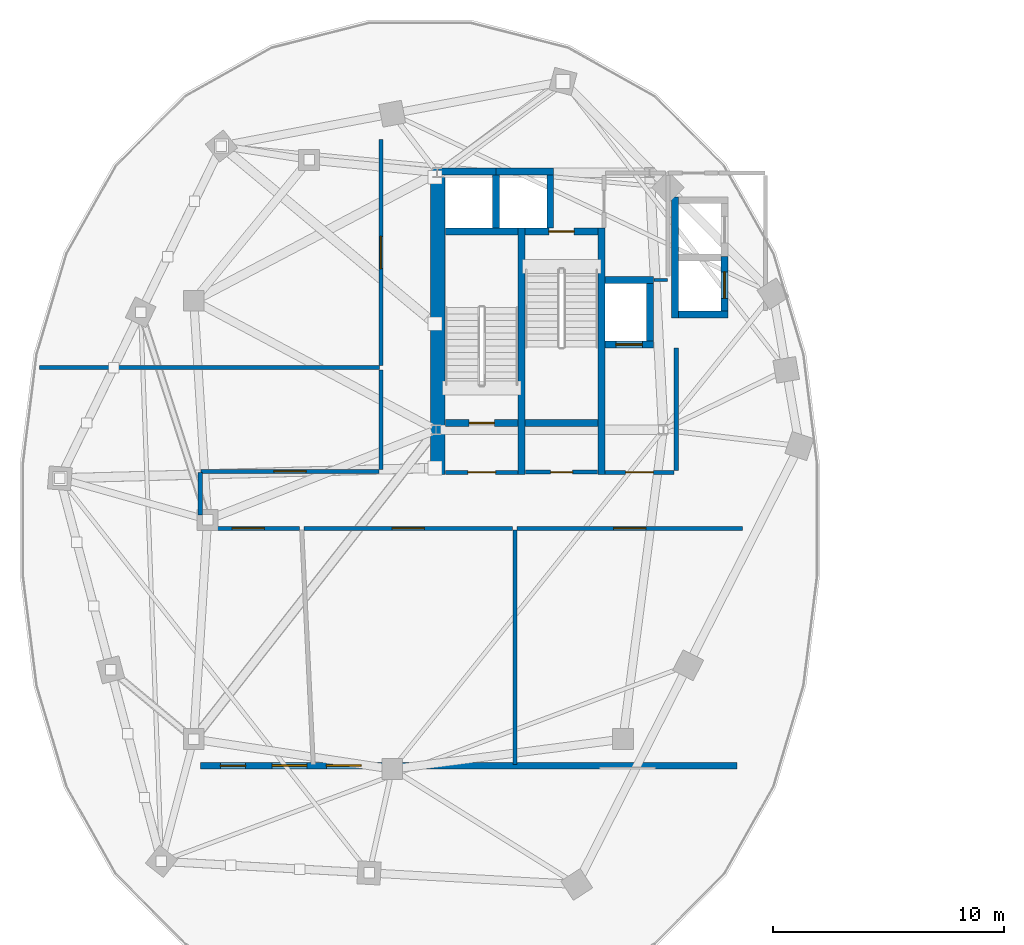
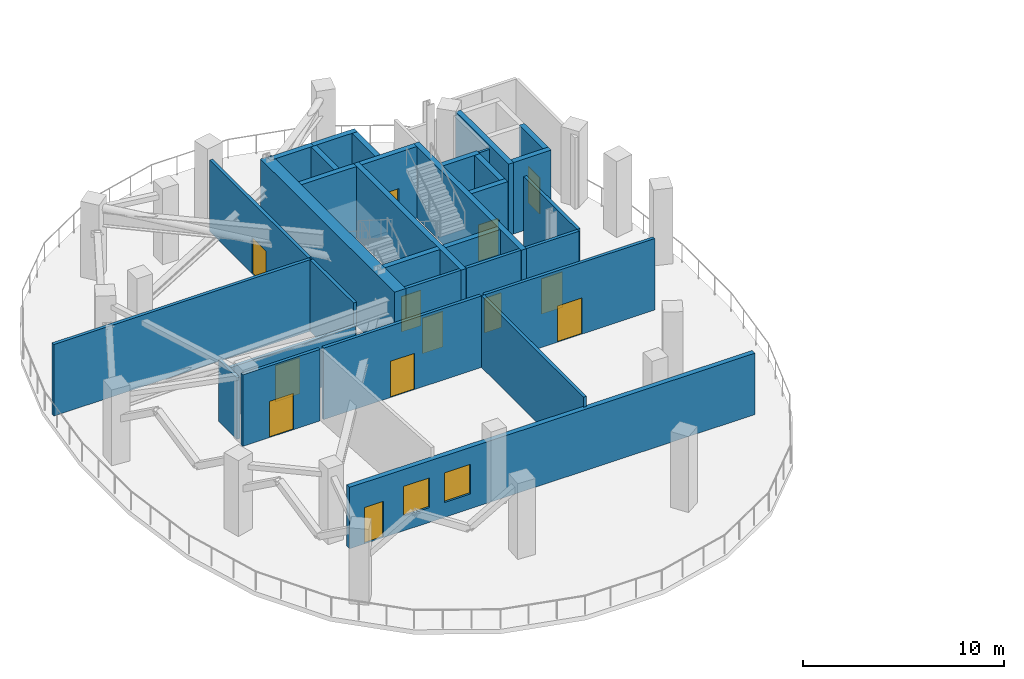
# One storey, part 7 of 14: 32 walls, 13 doors, 2 windows, 15 openings.
"""IFC4 building model written with IfcOpenShell, lengths in metres."""

from ifc_helpers import new_model, si_unit, direction, frame, frame_2d, origin, place, context, subcontext, project, spatial, rectangle, extrude, material, layer, layer_set, type_object, element, fill, save


model = new_model("IFC4")

# Units and contexts
model_context = context("Model", 3, precision=1e-05, world=origin(), true_north=direction((0.0, 1.0)))
body_context = subcontext(model_context, "Body", "Model", "MODEL_VIEW")
ifc_project = project(units=[si_unit("LENGTHUNIT", "METRE"), si_unit("AREAUNIT", "SQUARE_METRE"), si_unit("VOLUMEUNIT", "CUBIC_METRE"), si_unit("PLANEANGLEUNIT", "RADIAN"), si_unit("MASSUNIT", "GRAM", prefix="KILO"), si_unit("THERMODYNAMICTEMPERATUREUNIT", "KELVIN"), si_unit("POWERUNIT", "WATT")], contexts=[model_context])

# Site, building, storey
site_placement = place(None, origin())
site = spatial("IfcSite", under=ifc_project, at=site_placement, CompositionType="ELEMENT")
building_placement = place(site_placement, origin())
building = spatial("IfcBuilding", under=site, at=building_placement, Name="Cundina Bronze Exchange", CompositionType="ELEMENT")
storey_placement = place(building_placement, frame((0.0, 0.0, 187.199951171875)))
storey = spatial("IfcBuildingStorey", under=building, at=storey_placement, Name="L49", CompositionType="ELEMENT", Elevation=187.199951171875)

# Wall
ifc_material_1 = material(Name="Gypsum Fireboard Partition EI120")
ifc_layer_1 = layer(ifc_material_1, 0.179931640625, Name="Gypsum Fireboard Partition EI120")
ifc_layer_set_1 = layer_set([ifc_layer_1], Name="Gypsum Fireboard Partition EI120")
wall_type_1 = type_object("IfcWallType", Name="WL-COR-180", PredefinedType="PARTITIONING", material=ifc_layer_set_1)
wall_1_placement = place(storey_placement, frame((-20.889892578125, 2.14990234375, 0.0), z_axis=(0.0, 0.0, 1.0), x_axis=(0.0, 1.0, 0.0)))
element("IfcWall", 1, at=wall_1_placement, inside=storey, type_object=wall_type_1, Name="L49 W Firefighting Lobby Side Wall", PredefinedType="PARTITIONING", context=body_context, shape_type="SweptSolid", body=[
    extrude(rectangle(XDim=5.300048828125, YDim=0.179931640625, at=frame_2d((2.64990234375, 0.0))), origin(), (0.0, 0.0, 1.0), 4.340087890625),
])

# Wall, opening, door
wall_2_placement = place(storey_placement, frame((-23.97998046875, 2.06005859375, 0.0), z_axis=(0.0, 0.0, 1.0), x_axis=(1.0, 0.0, 0.0)))
wall_2 = element("IfcWall", 2, at=wall_2_placement, inside=storey, type_object=wall_type_1, Name="L49 W Firefighting Lobby Exit Wall", PredefinedType="PARTITIONING", context=body_context, shape_type="SweptSolid", body=[
    extrude(rectangle(XDim=3.0, YDim=0.179931640625, at=frame_2d((1.5, 0.0))), origin(), (0.0, 0.0, 1.0), 4.340087890625),
])
opening_1_placement = place(wall_2_placement, frame((0.89990234375, 0.0, 0.0)))
opening_1 = element("IfcOpeningElement", 3, at=opening_1_placement, cuts=wall_2, Name="Opening DF-01", PredefinedType="OPENING", context=body_context, shape_type="SweptSolid", body=[
    extrude(rectangle(XDim=1.199951171875, YDim=2.14990234375, at=frame_2d((0.60009765625, 1.074951171875))), frame((0.0, 0.099853515625, 0.0), z_axis=(0.0, -1.0, 0.0), x_axis=(1.0, 0.0, 0.0)), (0.0, 0.0, 1.0), 0.199951171875),
])
ifc_material_2 = material(Name="Steel ASTM A36 Painted", Category="steel")
door_type_1 = type_object("IfcDoorType", Name="DR-FFL-1200", OperationType="NOTDEFINED", PredefinedType="DOOR", material=ifc_material_2)
door_1_placement = place(opening_1_placement, origin())
door_1 = element("IfcDoor", 4, at=door_1_placement, inside=storey, type_object=door_type_1, Name="L49 W Firefighting Lobby Door", OperationType="SINGLE_SWING_RIGHT", OverallHeight=2.14990234375, OverallWidth=1.199951171875, PredefinedType="DOOR", context=body_context, shape_type="SweptSolid", body=[
    extrude(rectangle(XDim=1.199951171875, YDim=2.14990234375, at=frame_2d((0.60009765625, 1.074951171875))), frame((0.0, 0.02490234375, 0.0), z_axis=(0.0, -1.0, 0.0), x_axis=(1.0, 0.0, 0.0)), (0.0, 0.0, 1.0), 0.050048828125),
])
fill(opening_1, door_1)

wall_3_placement = place(storey_placement, frame((-30.89990234375, 2.06005859375, 0.0), z_axis=(0.0, 0.0, 1.0), x_axis=(1.0, 0.0, 0.0)))
wall_3 = element("IfcWall", 5, at=wall_3_placement, inside=storey, type_object=wall_type_1, Name="L49 W Stair Vestibule Exit Wall", PredefinedType="PARTITIONING", context=body_context, shape_type="SweptSolid", body=[
    extrude(rectangle(XDim=3.159912109375, YDim=0.179931640625, at=frame_2d((1.580078125, 0.0))), origin(), (0.0, 0.0, 1.0), 4.340087890625),
])
opening_2_placement = place(wall_3_placement, frame((0.97998046875, 0.0, 0.0)))
opening_2 = element("IfcOpeningElement", 6, at=opening_2_placement, cuts=wall_3, Name="Opening DF-01", PredefinedType="OPENING", context=body_context, shape_type="SweptSolid", body=[
    extrude(rectangle(XDim=1.199951171875, YDim=2.14990234375, at=frame_2d((0.60009765625, 1.074951171875))), frame((0.0, 0.099853515625, 0.0), z_axis=(0.0, -1.0, 0.0), x_axis=(1.0, 0.0, 0.0)), (0.0, 0.0, 1.0), 0.199951171875),
])
door_2_placement = place(opening_2_placement, origin())
door_2 = element("IfcDoor", 7, at=door_2_placement, inside=storey, type_object=door_type_1, Name="L49 W Stair Vestibule Door", OperationType="SINGLE_SWING_LEFT", OverallHeight=2.14990234375, OverallWidth=1.199951171875, PredefinedType="DOOR", context=body_context, shape_type="SweptSolid", body=[
    extrude(rectangle(XDim=1.199951171875, YDim=2.14990234375, at=frame_2d((0.60009765625, 1.074951171875))), frame((0.0, 0.02490234375, 0.0), z_axis=(0.0, -1.0, 0.0), x_axis=(1.0, 0.0, 0.0)), (0.0, 0.0, 1.0), 0.050048828125),
])
fill(opening_2, door_2)

wall_4_placement = place(storey_placement, frame((-27.419921875, 2.070068359375, 0.0), z_axis=(0.0, 0.0, 1.0), x_axis=(1.0, 0.0, 0.0)))
wall_4 = element("IfcWall", 8, at=wall_4_placement, inside=storey, type_object=wall_type_1, Name="L49 Interior Partition 007", PredefinedType="PARTITIONING", context=body_context, shape_type="SweptSolid", body=[
    extrude(rectangle(XDim=3.119873046875, YDim=0.179931640625, at=frame_2d((1.56005859375, 0.0))), origin(), (0.0, 0.0, 1.0), 4.340087890625),
])
opening_3_placement = place(wall_4_placement, frame((1.0849609375, 0.0, 0.0)))
opening_3 = element("IfcOpeningElement", 9, at=opening_3_placement, cuts=wall_4, Name="Opening DW-01", PredefinedType="OPENING", context=body_context, shape_type="SweptSolid", body=[
    extrude(rectangle(XDim=0.949951171875, YDim=2.10009765625, at=frame_2d((0.47509765625, 1.050048828125))), frame((0.0, 0.099853515625, 0.0), z_axis=(0.0, -1.0, 0.0), x_axis=(1.0, 0.0, 0.0)), (0.0, 0.0, 1.0), 0.199951171875),
])
ifc_material_3 = material(Name="Solid Andean Oak Timber Grade A", Category="wood")
door_type_2 = type_object("IfcDoorType", Name="DR-WC-950", OperationType="NOTDEFINED", PredefinedType="DOOR", material=ifc_material_3)
door_3_placement = place(opening_3_placement, origin())
door_3 = element("IfcDoor", 10, at=door_3_placement, inside=storey, type_object=door_type_2, Name="L49 Interior Door 007", OperationType="SINGLE_SWING_LEFT", OverallHeight=2.10009765625, OverallWidth=0.949951171875, PredefinedType="DOOR", context=body_context, shape_type="SweptSolid", body=[
    extrude(rectangle(XDim=0.949951171875, YDim=2.10009765625, at=frame_2d((0.47509765625, 1.050048828125))), frame((0.0, 0.02490234375, 0.0), z_axis=(0.0, -1.0, 0.0), x_axis=(1.0, 0.0, 0.0)), (0.0, 0.0, 1.0), 0.050048828125),
])
fill(opening_3, door_3)

# Wall
wall_5_placement = place(storey_placement, frame((-48.47998046875, 6.60009765625, 0.0), z_axis=(0.0, 0.0, 1.0), x_axis=(1.0, 0.0, 0.0)))
element("IfcWall", 11, at=wall_5_placement, inside=storey, type_object=wall_type_1, Name="L49 Interior Partition 010", PredefinedType="PARTITIONING", context=body_context, shape_type="SweptSolid", body=[
    extrude(rectangle(XDim=14.739990234375, YDim=0.179931640625, at=frame_2d((7.3701171875, 0.0))), origin(), (0.0, 0.0, 1.0), 4.340087890625),
])

# Wall, opening, door
wall_6_placement = place(storey_placement, frame((-27.780029296875, -0.3701171875, 0.0), z_axis=(0.0, 0.0, 1.0), x_axis=(1.0, 0.0, 0.0)))
wall_6 = element("IfcWall", 12, at=wall_6_placement, inside=storey, type_object=wall_type_1, Name="L49 Interior Partition 011", PredefinedType="PARTITIONING", context=body_context, shape_type="SweptSolid", body=[
    extrude(rectangle(XDim=9.760009765625, YDim=0.179931640625, at=frame_2d((4.8798828125, 0.0))), origin(), (0.0, 0.0, 1.0), 4.340087890625),
])
opening_4_placement = place(wall_6_placement, frame((4.179931640625, 0.0, 0.0)))
opening_4 = element("IfcOpeningElement", 13, at=opening_4_placement, cuts=wall_6, Name="Opening DP-01", PredefinedType="OPENING", context=body_context, shape_type="SweptSolid", body=[
    extrude(rectangle(XDim=1.39990234375, YDim=2.199951171875, at=frame_2d((0.699951171875, 1.10009765625))), frame((0.0, 0.099853515625, 0.0), z_axis=(0.0, -1.0, 0.0), x_axis=(1.0, 0.0, 0.0)), (0.0, 0.0, 1.0), 0.199951171875),
])
door_type_3 = type_object("IfcDoorType", Name="DR-PLT-1400", OperationType="NOTDEFINED", PredefinedType="DOOR", material=ifc_material_2)
door_4_placement = place(opening_4_placement, origin())
door_4 = element("IfcDoor", 14, at=door_4_placement, inside=storey, type_object=door_type_3, Name="L49 Interior Door 011", OperationType="SINGLE_SWING_LEFT", OverallHeight=2.199951171875, OverallWidth=1.39990234375, PredefinedType="DOOR", context=body_context, shape_type="SweptSolid", body=[
    extrude(rectangle(XDim=1.39990234375, YDim=2.199951171875, at=frame_2d((0.699951171875, 1.10009765625))), frame((0.0, 0.02490234375, 0.0), z_axis=(0.0, -1.0, 0.0), x_axis=(1.0, 0.0, 0.0)), (0.0, 0.0, 1.0), 0.050048828125),
])
fill(opening_4, door_4)

wall_7_placement = place(storey_placement, frame((-41.65869140625, -0.3701171875, 0.0), z_axis=(0.0, 0.0, 1.0), x_axis=(1.0, 0.0, 0.0)))
wall_7 = element("IfcWall", 15, at=wall_7_placement, inside=storey, type_object=wall_type_1, Name="L49 Interior Partition 012", PredefinedType="PARTITIONING", context=body_context, shape_type="SweptSolid", body=[
    extrude(rectangle(XDim=4.438720703125, YDim=0.179931640625, at=frame_2d((2.21923828125, 0.0))), origin(), (0.0, 0.0, 1.0), 4.340087890625),
])
opening_5_placement = place(wall_7_placement, frame((1.519287109375, 0.0, 0.0)))
opening_5 = element("IfcOpeningElement", 16, at=opening_5_placement, cuts=wall_7, Name="Opening DP-01", PredefinedType="OPENING", context=body_context, shape_type="SweptSolid", body=[
    extrude(rectangle(XDim=1.39990234375, YDim=2.199951171875, at=frame_2d((0.699951171875, 1.10009765625))), frame((0.0, 0.099853515625, 0.0), z_axis=(0.0, -1.0, 0.0), x_axis=(1.0, 0.0, 0.0)), (0.0, 0.0, 1.0), 0.199951171875),
])
door_5_placement = place(opening_5_placement, origin())
door_5 = element("IfcDoor", 17, at=door_5_placement, inside=storey, type_object=door_type_3, Name="L49 Interior Door 012", OperationType="SINGLE_SWING_LEFT", OverallHeight=2.199951171875, OverallWidth=1.39990234375, PredefinedType="DOOR", context=body_context, shape_type="SweptSolid", body=[
    extrude(rectangle(XDim=1.39990234375, YDim=2.199951171875, at=frame_2d((0.699951171875, 1.10009765625))), frame((0.0, 0.02490234375, 0.0), z_axis=(0.0, -1.0, 0.0), x_axis=(1.0, 0.0, 0.0)), (0.0, 0.0, 1.0), 0.050048828125),
])
fill(opening_5, door_5)

wall_8_placement = place(storey_placement, frame((-37.02001953125, -0.3701171875, 0.0), z_axis=(0.0, 0.0, 1.0), x_axis=(1.0, 0.0, 0.0)))
wall_8 = element("IfcWall", 18, at=wall_8_placement, inside=storey, type_object=wall_type_1, Name="L49 Interior Partition 013", PredefinedType="PARTITIONING", context=body_context, shape_type="SweptSolid", body=[
    extrude(rectangle(XDim=9.0400390625, YDim=0.179931640625, at=frame_2d((4.52001953125, 0.0))), origin(), (0.0, 0.0, 1.0), 4.340087890625),
])
opening_6_placement = place(wall_8_placement, frame((3.820068359375, 0.0, 0.0)))
opening_6 = element("IfcOpeningElement", 19, at=opening_6_placement, cuts=wall_8, Name="Opening DP-01", PredefinedType="OPENING", context=body_context, shape_type="SweptSolid", body=[
    extrude(rectangle(XDim=1.39990234375, YDim=2.199951171875, at=frame_2d((0.699951171875, 1.10009765625))), frame((0.0, 0.099853515625, 0.0), z_axis=(0.0, -1.0, 0.0), x_axis=(1.0, 0.0, 0.0)), (0.0, 0.0, 1.0), 0.199951171875),
])
door_6_placement = place(opening_6_placement, origin())
door_6 = element("IfcDoor", 20, at=door_6_placement, inside=storey, type_object=door_type_3, Name="L49 Interior Door 013", OperationType="SINGLE_SWING_LEFT", OverallHeight=2.199951171875, OverallWidth=1.39990234375, PredefinedType="DOOR", context=body_context, shape_type="SweptSolid", body=[
    extrude(rectangle(XDim=1.39990234375, YDim=2.199951171875, at=frame_2d((0.699951171875, 1.10009765625))), frame((0.0, 0.02490234375, 0.0), z_axis=(0.0, -1.0, 0.0), x_axis=(1.0, 0.0, 0.0)), (0.0, 0.0, 1.0), 0.050048828125),
])
fill(opening_6, door_6)

wall_9_placement = place(storey_placement, frame((-33.77001953125, 2.10009765625, 0.0), z_axis=(0.0, 0.0, 1.0), x_axis=(-1.0, 0.0, 0.0)))
wall_9 = element("IfcWall", 21, at=wall_9_placement, inside=storey, type_object=wall_type_1, Name="L49 Interior Partition 014", PredefinedType="PARTITIONING", context=body_context, shape_type="SweptSolid", body=[
    extrude(rectangle(XDim=7.70849609375, YDim=0.179931640625, at=frame_2d((3.854248046875, 0.0))), origin(), (0.0, 0.0, 1.0), 3.03515625),
])
opening_7_placement = place(wall_9_placement, frame((3.154296875, 0.0, 0.0)))
opening_7 = element("IfcOpeningElement", 22, at=opening_7_placement, cuts=wall_9, Name="Opening DP-01", PredefinedType="OPENING", context=body_context, shape_type="SweptSolid", body=[
    extrude(rectangle(XDim=1.39990234375, YDim=2.199951171875, at=frame_2d((0.699951171875, 1.10009765625))), frame((0.0, 0.099853515625, 0.0), z_axis=(0.0, -1.0, 0.0), x_axis=(1.0, 0.0, 0.0)), (0.0, 0.0, 1.0), 0.199951171875),
])
door_7_placement = place(opening_7_placement, origin())
door_7 = element("IfcDoor", 23, at=door_7_placement, inside=storey, type_object=door_type_3, Name="L49 Interior Door 014", OperationType="SINGLE_SWING_LEFT", OverallHeight=2.199951171875, OverallWidth=1.39990234375, PredefinedType="DOOR", context=body_context, shape_type="SweptSolid", body=[
    extrude(rectangle(XDim=1.39990234375, YDim=2.199951171875, at=frame_2d((0.699951171875, 1.10009765625))), frame((0.0, 0.02490234375, 0.0), z_axis=(0.0, -1.0, 0.0), x_axis=(1.0, 0.0, 0.0)), (0.0, 0.0, 1.0), 0.050048828125),
])
fill(opening_7, door_7)

# Walls
wall_10_placement = place(storey_placement, frame((-33.68994140625, 6.5, 0.0), z_axis=(0.0, 0.0, 1.0), x_axis=(0.0, -1.0, 0.0)))
element("IfcWall", 24, at=wall_10_placement, inside=storey, type_object=wall_type_1, Name="L49 Interior Partition 015", PredefinedType="PARTITIONING", context=body_context, shape_type="SweptSolid", body=[
    extrude(rectangle(XDim=4.320068359375, YDim=0.179931640625, at=frame_2d((2.16015625, 0.0))), origin(), (0.0, 0.0, 1.0), 4.340087890625),
])
wall_11_placement = place(storey_placement, frame((-41.52001953125, 2.05859375, 0.0), z_axis=(0.0, 0.0, 1.0), x_axis=(0.0, -1.0, 0.0)))
element("IfcWall", 25, at=wall_11_placement, inside=storey, type_object=wall_type_1, Name="L49 Interior Partition 016", PredefinedType="PARTITIONING", context=body_context, shape_type="SweptSolid", body=[
    extrude(rectangle(XDim=1.838623046875, YDim=0.179931640625, at=frame_2d((0.91943359375, 0.0))), origin(), (0.0, 0.0, 1.0), 3.72412109375),
])

# Wall, opening, door
wall_12_placement = place(storey_placement, frame((-33.68994140625, 16.47998046875, 0.0), z_axis=(0.0, 0.0, 1.0), x_axis=(0.0, -1.0, 0.0)))
wall_12 = element("IfcWall", 26, at=wall_12_placement, inside=storey, type_object=wall_type_1, Name="L49 Interior Partition 017", PredefinedType="PARTITIONING", context=body_context, shape_type="SweptSolid", body=[
    extrude(rectangle(XDim=9.780029296875, YDim=0.179931640625, at=frame_2d((4.89013671875, 0.0))), origin(), (0.0, 0.0, 1.0), 4.340087890625),
])
opening_8_placement = place(wall_12_placement, frame((4.18994140625, 0.0, 0.0)))
opening_8 = element("IfcOpeningElement", 27, at=opening_8_placement, cuts=wall_12, Name="Opening DP-01", PredefinedType="OPENING", context=body_context, shape_type="SweptSolid", body=[
    extrude(rectangle(XDim=1.39990234375, YDim=2.199951171875, at=frame_2d((0.699951171875, 1.10009765625))), frame((0.0, 0.099853515625, 0.0), z_axis=(0.0, -1.0, 0.0), x_axis=(1.0, 0.0, 0.0)), (0.0, 0.0, 1.0), 0.199951171875),
])
door_8_placement = place(opening_8_placement, origin())
door_8 = element("IfcDoor", 28, at=door_8_placement, inside=storey, type_object=door_type_3, Name="L49 Interior Door 017", OperationType="SINGLE_SWING_LEFT", OverallHeight=2.199951171875, OverallWidth=1.39990234375, PredefinedType="DOOR", context=body_context, shape_type="SweptSolid", body=[
    extrude(rectangle(XDim=1.39990234375, YDim=2.199951171875, at=frame_2d((0.699951171875, 1.10009765625))), frame((0.0, 0.02490234375, 0.0), z_axis=(0.0, -1.0, 0.0), x_axis=(1.0, 0.0, 0.0)), (0.0, 0.0, 1.0), 0.050048828125),
])
fill(opening_8, door_8)

# Walls
wall_13_placement = place(storey_placement, frame((-27.8798828125, -10.60009765625, 0.0), z_axis=(0.0, 0.0, 1.0), x_axis=(0.0, 1.0, 0.0)))
element("IfcWall", 29, at=wall_13_placement, inside=storey, type_object=wall_type_1, Name="L49 Interior Partition 018", PredefinedType="PARTITIONING", context=body_context, shape_type="SweptSolid", body=[
    extrude(rectangle(XDim=10.16015625, YDim=0.179931640625, at=frame_2d((5.080078125, 0.0))), origin(), (0.0, 0.0, 1.0), 4.340087890625),
])
ifc_material_4 = material(Name="Concrete C50/60", Category="concrete")
ifc_layer_2 = layer(ifc_material_4, 0.64990234375, Name="Concrete C50/60", Category="concrete")
ifc_layer_set_2 = layer_set([ifc_layer_2], Name="Concrete C50/60")
wall_type_2 = type_object("IfcWallType", Name="WL-CORE-650", PredefinedType="SHEAR", material=ifc_layer_set_2)
wall_14_placement = place(storey_placement, frame((-31.22509765625, 1.969970703125, 0.0), z_axis=(0.0, 0.0, 1.0), x_axis=(0.0, 1.0, 0.0)))
element("IfcWall", 30, at=wall_14_placement, inside=storey, type_object=wall_type_2, Name="L49 W Primary Core Shear Spine Wall", PredefinedType="SHEAR", context=body_context, shape_type="SweptSolid", body=[
    extrude(rectangle(XDim=13.330078125, YDim=0.64990234375, at=frame_2d((6.6650390625, 0.0))), origin(), (0.0, 0.0, 1.0), 4.340087890625),
])

# Wall, openings, door, windows
ifc_material_5 = material(Name="Precast Concrete C45/55", Category="concrete")
ifc_layer_3 = layer(ifc_material_5, 0.280029296875, Name="Precast Concrete C45/55", Category="concrete")
ifc_layer_set_3 = layer_set([ifc_layer_3], Name="Precast Concrete C45/55")
wall_type_3 = type_object("IfcWallType", Name="WL-EXT-280", PredefinedType="SOLIDWALL", material=ifc_layer_set_3)
wall_15_placement = place(storey_placement, frame((-41.5, -10.64990234375, 0.0), z_axis=(0.0, 0.0, 1.0), x_axis=(1.0, 0.0, 0.0)))
wall_15 = element("IfcWall", 31, at=wall_15_placement, inside=storey, type_object=wall_type_3, Name="L49 Leg W Refuge Veranda Weather Wall", PredefinedType="SOLIDWALL", context=body_context, shape_type="SweptSolid", body=[
    extrude(rectangle(XDim=23.25, YDim=0.280029296875, at=frame_2d((11.625, 0.0))), origin(), (0.0, 0.0, 1.0), 3.72412109375),
])
opening_9_placement = place(wall_15_placement, frame((0.85009765625, 0.0, 0.0)))
opening_9 = element("IfcOpeningElement", 32, at=opening_9_placement, cuts=wall_15, Name="Opening DT-01", PredefinedType="OPENING", context=body_context, shape_type="SweptSolid", body=[
    extrude(rectangle(XDim=1.10009765625, YDim=2.199951171875, at=frame_2d((0.550048828125, 1.10009765625))), frame((0.0, 0.14990234375, 0.0), z_axis=(0.0, -1.0, 0.0), x_axis=(1.0, 0.0, 0.0)), (0.0, 0.0, 1.0), 0.300048828125),
])
opening_10_placement = place(wall_15_placement, frame((3.10009765625, 0.0, 0.89990234375)))
opening_10 = element("IfcOpeningElement", 33, at=opening_10_placement, cuts=wall_15, Name="Opening W-03", PredefinedType="OPENING", context=body_context, shape_type="SweptSolid", body=[
    extrude(rectangle(XDim=1.5, YDim=1.800048828125, at=frame_2d((0.75, 0.89990234375))), frame((0.0, 0.14990234375, 0.0), z_axis=(0.0, -1.0, 0.0), x_axis=(1.0, 0.0, 0.0)), (0.0, 0.0, 1.0), 0.300048828125),
])
opening_11_placement = place(wall_15_placement, frame((5.449951171875, 0.0, 0.89990234375)))
opening_11 = element("IfcOpeningElement", 34, at=opening_11_placement, cuts=wall_15, Name="Opening W-03", PredefinedType="OPENING", context=body_context, shape_type="SweptSolid", body=[
    extrude(rectangle(XDim=1.5, YDim=1.800048828125, at=frame_2d((0.75, 0.89990234375))), frame((0.0, 0.14990234375, 0.0), z_axis=(0.0, -1.0, 0.0), x_axis=(1.0, 0.0, 0.0)), (0.0, 0.0, 1.0), 0.300048828125),
])
ifc_material_6 = material(Name="Anodised Bronze Aluminium 6063-T6", Category="aluminium")
door_type_4 = type_object("IfcDoorType", Name="DR-TER-1100", OperationType="NOTDEFINED", PredefinedType="DOOR", material=ifc_material_6)
door_9_placement = place(opening_9_placement, origin())
door_9 = element("IfcDoor", 35, at=door_9_placement, inside=storey, type_object=door_type_4, Name="L49 Leg W Open Refuge Veranda Door", OperationType="SINGLE_SWING_LEFT", OverallHeight=2.199951171875, OverallWidth=1.10009765625, PredefinedType="DOOR", context=body_context, shape_type="SweptSolid", body=[
    extrude(rectangle(XDim=1.10009765625, YDim=2.199951171875, at=frame_2d((0.550048828125, 1.10009765625))), frame((0.0, 0.02490234375, 0.0), z_axis=(0.0, -1.0, 0.0), x_axis=(1.0, 0.0, 0.0)), (0.0, 0.0, 1.0), 0.050048828125),
])
fill(opening_9, door_9)
ifc_material_7 = material(Name="Heat-Strengthened Solar-Control Bronze Safety Glass 28mm", Category="glass")
window_type = type_object("IfcWindowType", Name="WN-REF-1500", PartitioningType="SINGLE_PANEL", PredefinedType="WINDOW", material=ifc_material_7)
window_1_placement = place(opening_10_placement, origin())
window_1 = element("IfcWindow", 36, at=window_1_placement, inside=storey, type_object=window_type, Name="L49 Leg W Refuge Plant Window 1", OverallHeight=1.800048828125, OverallWidth=1.5, PartitioningType="SINGLE_PANEL", PredefinedType="WINDOW", context=body_context, shape_type="SweptSolid", body=[
    extrude(rectangle(XDim=1.5, YDim=1.800048828125, at=frame_2d((0.75, 0.89990234375))), frame((0.0, 0.030029296875, 0.0), z_axis=(0.0, -1.0, 0.0), x_axis=(1.0, 0.0, 0.0)), (0.0, 0.0, 1.0), 0.06005859375),
])
fill(opening_10, window_1)
window_2_placement = place(opening_11_placement, origin())
window_2 = element("IfcWindow", 37, at=window_2_placement, inside=storey, type_object=window_type, Name="L49 Leg W Refuge Plant Window 2", OverallHeight=1.800048828125, OverallWidth=1.5, PartitioningType="SINGLE_PANEL", PredefinedType="WINDOW", context=body_context, shape_type="SweptSolid", body=[
    extrude(rectangle(XDim=1.5, YDim=1.800048828125, at=frame_2d((0.75, 0.89990234375))), frame((0.0, 0.030029296875, 0.0), z_axis=(0.0, -1.0, 0.0), x_axis=(1.0, 0.0, 0.0)), (0.0, 0.0, 1.0), 0.06005859375),
])
fill(opening_11, window_2)

# Walls
ifc_layer_4 = layer(ifc_material_4, 0.300048828125, Name="Concrete C50/60", Category="concrete")
ifc_layer_set_4 = layer_set([ifc_layer_4], Name="Concrete C50/60")
wall_type_4 = type_object("IfcWallType", Name="WL-SHFT-300", PredefinedType="SHEAR", material=ifc_layer_set_4)
for number, where, z_axis, x_axis, name in (
    (38, (-27.590087890625, 1.969970703125, 0.0), (0.0, 0.0, 1.0), (0.0, 1.0, 0.0), "L49 W Stair Shaft Dividing Shear Wall"),
    (39, (-24.1298828125, 1.969970703125, 0.0), (0.0, 0.0, 1.0), (0.0, 1.0, 0.0), "L49 W Stair 2 East Shear Wall"),
):
    element("IfcWall", number, at=place(storey_placement, frame(where, z_axis=z_axis, x_axis=x_axis)), inside=storey, type_object=wall_type_4, Name=name, PredefinedType="SHEAR", context=body_context, shape_type="SweptSolid", body=[
        extrude(rectangle(XDim=10.679931640625, YDim=0.300048828125, at=frame_2d((5.33984375, 0.0))), origin(), (0.0, 0.0, 1.0), 4.340087890625),
    ])

# Wall, opening, door
wall_16_placement = place(storey_placement, frame((-30.89990234375, 4.199951171875, 0.0), z_axis=(0.0, 0.0, 1.0), x_axis=(1.0, 0.0, 0.0)))
wall_16 = element("IfcWall", 40, at=wall_16_placement, inside=storey, type_object=wall_type_4, Name="L49 Stair W1 Landing Wall", PredefinedType="SHEAR", context=body_context, shape_type="SweptSolid", body=[
    extrude(rectangle(XDim=3.159912109375, YDim=0.300048828125, at=frame_2d((1.580078125, 0.0))), origin(), (0.0, 0.0, 1.0), 4.340087890625),
])
opening_12_placement = place(wall_16_placement, frame((1.030029296875, 0.0, 0.0)))
opening_12 = element("IfcOpeningElement", 41, at=opening_12_placement, cuts=wall_16, Name="Opening DS-01", PredefinedType="OPENING", context=body_context, shape_type="SweptSolid", body=[
    extrude(rectangle(XDim=1.10009765625, YDim=2.14990234375, at=frame_2d((0.550048828125, 1.074951171875))), frame((0.0, 0.159912109375, 0.0), z_axis=(0.0, -1.0, 0.0), x_axis=(1.0, 0.0, 0.0)), (0.0, 0.0, 1.0), 0.320068359375),
])
door_type_5 = type_object("IfcDoorType", Name="DR-STR-1100", OperationType="NOTDEFINED", PredefinedType="DOOR", material=ifc_material_2)
door_10_placement = place(opening_12_placement, origin())
door_10 = element("IfcDoor", 42, at=door_10_placement, inside=storey, type_object=door_type_5, Name="L49 Smokeproof Stair W1 Door", OperationType="SINGLE_SWING_RIGHT", OverallHeight=2.14990234375, OverallWidth=1.10009765625, PredefinedType="DOOR", context=body_context, shape_type="SweptSolid", body=[
    extrude(rectangle(XDim=1.10009765625, YDim=2.14990234375, at=frame_2d((0.550048828125, 1.074951171875))), frame((0.0, 0.02490234375, 0.0), z_axis=(0.0, -1.0, 0.0), x_axis=(1.0, 0.0, 0.0)), (0.0, 0.0, 1.0), 0.050048828125),
])
fill(opening_12, door_10)

# Wall
wall_17_placement = place(storey_placement, frame((-30.89990234375, 12.5, 0.0), z_axis=(0.0, 0.0, 1.0), x_axis=(1.0, 0.0, 0.0)))
element("IfcWall", 43, at=wall_17_placement, inside=storey, type_object=wall_type_4, Name="L49 Stair W1 Far Shaft Wall", PredefinedType="SHEAR", context=body_context, shape_type="SweptSolid", body=[
    extrude(rectangle(XDim=3.159912109375, YDim=0.300048828125, at=frame_2d((1.580078125, 0.0))), origin(), (0.0, 0.0, 1.0), 4.340087890625),
])

# Wall, opening, door
wall_18_placement = place(storey_placement, frame((-27.43994140625, 12.5, 0.0), z_axis=(0.0, 0.0, 1.0), x_axis=(1.0, 0.0, 0.0)))
wall_18 = element("IfcWall", 44, at=wall_18_placement, inside=storey, type_object=wall_type_4, Name="L49 Stair W2 Landing Wall", PredefinedType="SHEAR", context=body_context, shape_type="SweptSolid", body=[
    extrude(rectangle(XDim=3.159912109375, YDim=0.300048828125, at=frame_2d((1.580078125, 0.0))), origin(), (0.0, 0.0, 1.0), 4.340087890625),
])
opening_13_placement = place(wall_18_placement, frame((1.030029296875, 0.0, 0.0)))
opening_13 = element("IfcOpeningElement", 45, at=opening_13_placement, cuts=wall_18, Name="Opening DS-01", PredefinedType="OPENING", context=body_context, shape_type="SweptSolid", body=[
    extrude(rectangle(XDim=1.10009765625, YDim=2.14990234375, at=frame_2d((0.550048828125, 1.074951171875))), frame((0.0, 0.159912109375, 0.0), z_axis=(0.0, -1.0, 0.0), x_axis=(1.0, 0.0, 0.0)), (0.0, 0.0, 1.0), 0.320068359375),
])
door_11_placement = place(opening_13_placement, origin())
door_11 = element("IfcDoor", 46, at=door_11_placement, inside=storey, type_object=door_type_5, Name="L49 Smokeproof Stair W2 Door", OperationType="SINGLE_SWING_LEFT", OverallHeight=2.14990234375, OverallWidth=1.10009765625, PredefinedType="DOOR", context=body_context, shape_type="SweptSolid", body=[
    extrude(rectangle(XDim=1.10009765625, YDim=2.14990234375, at=frame_2d((0.550048828125, 1.074951171875))), frame((0.0, 0.02490234375, 0.0), z_axis=(0.0, -1.0, 0.0), x_axis=(1.0, 0.0, 0.0)), (0.0, 0.0, 1.0), 0.050048828125),
])
fill(opening_13, door_11)

# Wall
wall_19_placement = place(storey_placement, frame((-27.43994140625, 4.199951171875, 0.0), z_axis=(0.0, 0.0, 1.0), x_axis=(1.0, 0.0, 0.0)))
element("IfcWall", 47, at=wall_19_placement, inside=storey, type_object=wall_type_4, Name="L49 Stair W2 Far Shaft Wall", PredefinedType="SHEAR", context=body_context, shape_type="SweptSolid", body=[
    extrude(rectangle(XDim=3.159912109375, YDim=0.300048828125, at=frame_2d((1.580078125, 0.0))), origin(), (0.0, 0.0, 1.0), 4.340087890625),
])

# Wall, opening, door
wall_20_placement = place(storey_placement, frame((-23.97998046875, 7.60009765625, 0.0), z_axis=(0.0, 0.0, 1.0), x_axis=(1.0, 0.0, 0.0)))
wall_20 = element("IfcWall", 48, at=wall_20_placement, inside=storey, type_object=wall_type_4, Name="L49 FFL-W Hoistway Front Wall", PredefinedType="SHEAR", context=body_context, shape_type="SweptSolid", body=[
    extrude(rectangle(XDim=2.10009765625, YDim=0.300048828125, at=frame_2d((1.050048828125, 0.0))), origin(), (0.0, 0.0, 1.0), 4.340087890625),
])
opening_14_placement = place(wall_20_placement, frame((0.47509765625, 0.0, 0.0)))
opening_14 = element("IfcOpeningElement", 49, at=opening_14_placement, cuts=wall_20, Name="Opening LD-01", PredefinedType="OPENING", context=body_context, shape_type="SweptSolid", body=[
    extrude(rectangle(XDim=1.14990234375, YDim=2.199951171875, at=frame_2d((0.574951171875, 1.10009765625))), frame((0.0, 0.159912109375, 0.0), z_axis=(0.0, -1.0, 0.0), x_axis=(1.0, 0.0, 0.0)), (0.0, 0.0, 1.0), 0.320068359375),
])
door_type_6 = type_object("IfcDoorType", Name="DR-LND-1150", OperationType="NOTDEFINED", PredefinedType="TRAPDOOR", material=ifc_material_2)
door_12_placement = place(opening_14_placement, origin())
door_12 = element("IfcDoor", 50, at=door_12_placement, inside=storey, type_object=door_type_6, Name="L49 FFL-W Sliding Landing Door", OperationType="SLIDING_TO_LEFT", OverallHeight=2.199951171875, OverallWidth=1.14990234375, PredefinedType="TRAPDOOR", context=body_context, shape_type="SweptSolid", body=[
    extrude(rectangle(XDim=1.14990234375, YDim=2.199951171875, at=frame_2d((0.574951171875, 1.10009765625))), frame((0.0, 0.02490234375, 0.0), z_axis=(0.0, -1.0, 0.0), x_axis=(1.0, 0.0, 0.0)), (0.0, 0.0, 1.0), 0.050048828125),
])
fill(opening_14, door_12)

# Walls
wall_21_placement = place(storey_placement, frame((-23.97998046875, 10.39990234375, 0.0), z_axis=(0.0, 0.0, 1.0), x_axis=(1.0, 0.0, 0.0)))
element("IfcWall", 51, at=wall_21_placement, inside=storey, type_object=wall_type_4, Name="L49 FFL-W Hoistway Back Wall", PredefinedType="SHEAR", context=body_context, shape_type="SweptSolid", body=[
    extrude(rectangle(XDim=2.10009765625, YDim=0.300048828125, at=frame_2d((1.050048828125, 0.0))), origin(), (0.0, 0.0, 1.0), 4.340087890625),
])
for number, where, z_axis, x_axis, name in (
    (52, (-22.030029296875, 7.75, 0.0), (0.0, 0.0, 1.0), (0.0, 1.0, 0.0), "L49 FFL-W Hoistway Side Wall"),
    (53, (-31.199951171875, 15.10009765625, 0.0), (0.0, 0.0, 1.0), (1.0, 0.0, 0.0), "L49 PH-W1 Hoistway Front Wall"),
):
    element("IfcWall", number, at=place(storey_placement, frame(where, z_axis=z_axis, x_axis=x_axis)), inside=storey, type_object=wall_type_4, Name=name, PredefinedType="SHEAR", context=body_context, shape_type="SweptSolid", body=[
        extrude(rectangle(XDim=2.5, YDim=0.300048828125, at=frame_2d((1.25, 0.0))), origin(), (0.0, 0.0, 1.0), 4.340087890625),
    ])
wall_22_placement = place(storey_placement, frame((-28.699951171875, 12.64990234375, 0.0), z_axis=(0.0, 0.0, 1.0), x_axis=(0.0, 1.0, 0.0)))
element("IfcWall", 54, at=wall_22_placement, inside=storey, type_object=wall_type_4, Name="L49 PH-W1 Hoistway Divider Wall", PredefinedType="SHEAR", context=body_context, shape_type="SweptSolid", body=[
    extrude(rectangle(XDim=2.300048828125, YDim=0.300048828125, at=frame_2d((1.14990234375, 0.0))), origin(), (0.0, 0.0, 1.0), 4.340087890625),
])
wall_23_placement = place(storey_placement, frame((-28.699951171875, 15.10009765625, 0.0), z_axis=(0.0, 0.0, 1.0), x_axis=(1.0, 0.0, 0.0)))
element("IfcWall", 55, at=wall_23_placement, inside=storey, type_object=wall_type_4, Name="L49 PH-W2 Hoistway Front Wall", PredefinedType="SHEAR", context=body_context, shape_type="SweptSolid", body=[
    extrude(rectangle(XDim=2.5, YDim=0.300048828125, at=frame_2d((1.25, 0.0))), origin(), (0.0, 0.0, 1.0), 4.340087890625),
])
wall_24_placement = place(storey_placement, frame((-26.35009765625, 12.64990234375, 0.0), z_axis=(0.0, 0.0, 1.0), x_axis=(0.0, 1.0, 0.0)))
element("IfcWall", 56, at=wall_24_placement, inside=storey, type_object=wall_type_4, Name="L49 PH-W2 Hoistway Divider Wall", PredefinedType="SHEAR", context=body_context, shape_type="SweptSolid", body=[
    extrude(rectangle(XDim=2.300048828125, YDim=0.300048828125, at=frame_2d((1.14990234375, 0.0))), origin(), (0.0, 0.0, 1.0), 4.340087890625),
])
wall_25_placement = place(storey_placement, frame((-20.949951171875, 8.75, 0.0), z_axis=(0.0, 0.0, 1.0), x_axis=(0.0, 1.0, 0.0)))
element("IfcWall", 57, at=wall_25_placement, inside=storey, type_object=wall_type_4, Name="L49 W Passenger Bank Hoistway Back Wall", PredefinedType="SHEAR", context=body_context, shape_type="SweptSolid", body=[
    extrude(rectangle(XDim=5.25, YDim=0.300048828125, at=frame_2d((2.625, 0.0))), origin(), (0.0, 0.0, 1.0), 4.340087890625),
])
wall_26_placement = place(storey_placement, frame((-20.800048828125, 8.89990234375, 0.0), z_axis=(0.0, 0.0, 1.0), x_axis=(1.0, 0.0, 0.0)))
element("IfcWall", 58, at=wall_26_placement, inside=storey, type_object=wall_type_4, Name="L49 W Passenger Bank South Cap Wall", PredefinedType="SHEAR", context=body_context, shape_type="SweptSolid", body=[
    extrude(rectangle(XDim=2.150146484375, YDim=0.300048828125, at=frame_2d((1.0751953125, 0.0))), origin(), (0.0, 0.0, 1.0), 4.340087890625),
])

# Wall, opening, door
wall_27_placement = place(storey_placement, frame((-18.800048828125, 8.929931640625, 0.0), z_axis=(0.0, 0.0, 1.0), x_axis=(0.0, 1.0, 0.0)))
wall_27 = element("IfcWall", 59, at=wall_27_placement, inside=storey, type_object=wall_type_4, Name="L49 PM-W2 Hoistway Front Wall", PredefinedType="SHEAR", context=body_context, shape_type="SweptSolid", body=[
    extrude(rectangle(XDim=2.489990234375, YDim=0.300048828125, at=frame_2d((1.2451171875, 0.0))), origin(), (0.0, 0.0, 1.0), 4.340087890625),
])
opening_15_placement = place(wall_27_placement, frame((0.669921875, 0.0, 0.0)))
opening_15 = element("IfcOpeningElement", 60, at=opening_15_placement, cuts=wall_27, Name="Opening LD-01", PredefinedType="OPENING", context=body_context, shape_type="SweptSolid", body=[
    extrude(rectangle(XDim=1.14990234375, YDim=2.199951171875, at=frame_2d((0.574951171875, 1.10009765625))), frame((0.0, 0.159912109375, 0.0), z_axis=(0.0, -1.0, 0.0), x_axis=(1.0, 0.0, 0.0)), (0.0, 0.0, 1.0), 0.320068359375),
])
door_13_placement = place(opening_15_placement, origin())
door_13 = element("IfcDoor", 61, at=door_13_placement, inside=storey, type_object=door_type_6, Name="L49 PM-W2 Sliding Landing Door", OperationType="SLIDING_TO_LEFT", OverallHeight=2.199951171875, OverallWidth=1.14990234375, PredefinedType="TRAPDOOR", context=body_context, shape_type="SweptSolid", body=[
    extrude(rectangle(XDim=1.14990234375, YDim=2.199951171875, at=frame_2d((0.574951171875, 1.10009765625))), frame((0.0, 0.02490234375, 0.0), z_axis=(0.0, -1.0, 0.0), x_axis=(1.0, 0.0, 0.0)), (0.0, 0.0, 1.0), 0.050048828125),
])
fill(opening_15, door_13)

# Wall
ifc_material_8 = material(Name="Moisture-Resistant Masonry Block Grade M15", Category="masonry")
ifc_layer_5 = layer(ifc_material_8, 0.139892578125, Name="Moisture-Resistant Masonry Block Grade M15", Category="masonry")
ifc_layer_set_5 = layer_set([ifc_layer_5], Name="Moisture-Resistant Masonry Block Grade M15")
wall_type_5 = type_object("IfcWallType", Name="WL-WET-140", PredefinedType="PARTITIONING", material=ifc_layer_set_5)
wall_28_placement = place(storey_placement, frame((-21.860107421875, 10.39990234375, 0.0), z_axis=(0.0, 0.0, 1.0), x_axis=(1.0, 0.0, 0.0)))
element("IfcWall", 62, at=wall_28_placement, inside=storey, type_object=wall_type_5, Name="L49 Interior Partition 004", PredefinedType="PARTITIONING", context=body_context, shape_type="SweptSolid", body=[
    extrude(rectangle(XDim=0.590087890625, YDim=0.139892578125, at=frame_2d((0.294921875, 0.0))), origin(), (0.0, 0.0, 1.0), 4.340087890625),
])

save(model, "model.ifc")
